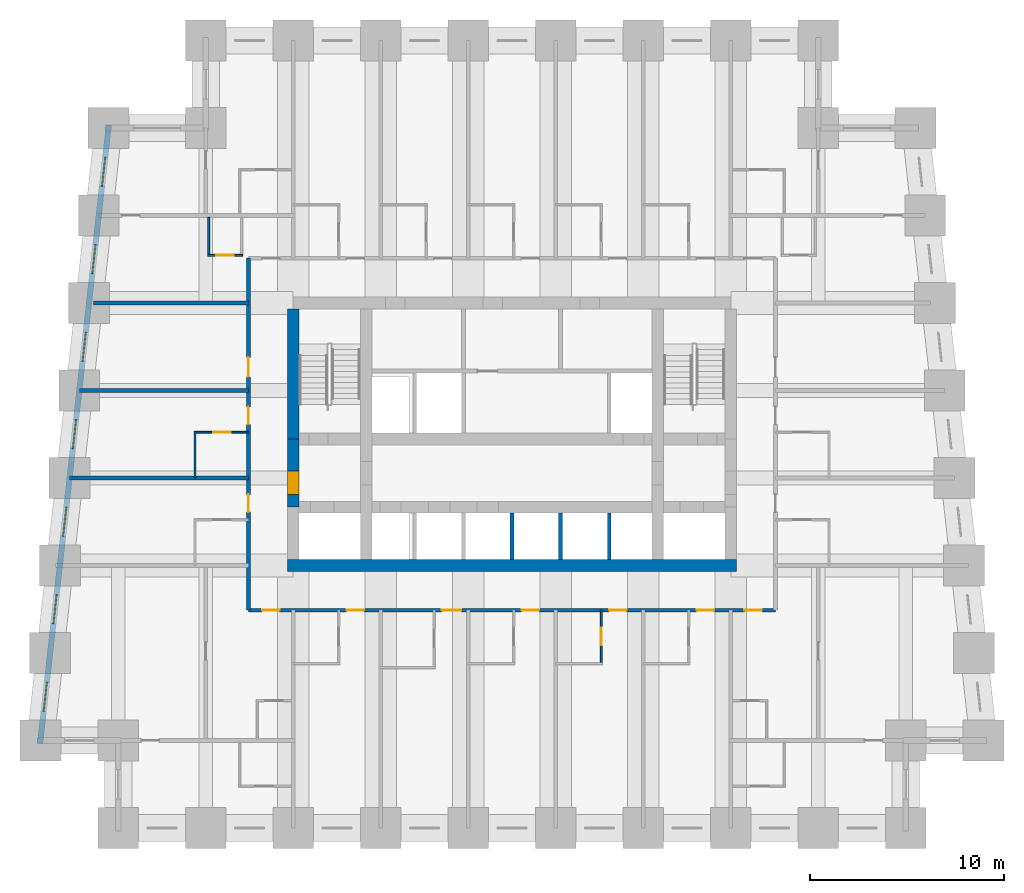
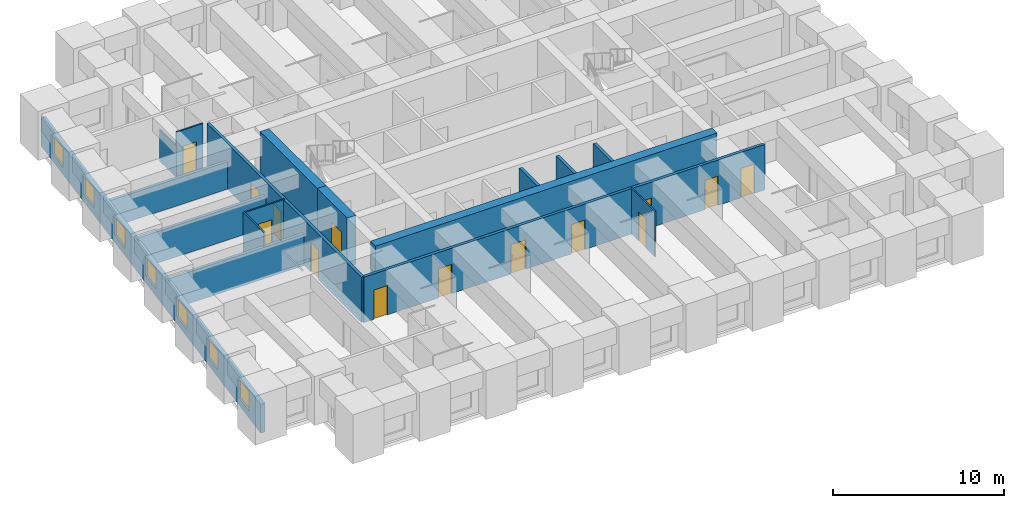
# One storey, part 3 of 8: 17 walls, 14 doors, 7 windows, 21 openings.
"""IFC4 building model written with IfcOpenShell, lengths in metres."""

from ifc_helpers import new_model, si_unit, direction, frame, frame_2d, origin, place, context, subcontext, project, spatial, rectangle, extrude, material, layer, layer_set, type_object, element, fill, save


model = new_model("IFC4")

# Units and contexts
model_context = context("Model", 3, precision=1e-05, world=origin(), true_north=direction((0.0, 1.0)))
body_context = subcontext(model_context, "Body", "Model", "MODEL_VIEW")
ifc_project = project(units=[si_unit("LENGTHUNIT", "METRE"), si_unit("AREAUNIT", "SQUARE_METRE"), si_unit("VOLUMEUNIT", "CUBIC_METRE"), si_unit("PLANEANGLEUNIT", "RADIAN"), si_unit("MASSUNIT", "GRAM", prefix="KILO")], contexts=[model_context])

# Site, building, storey
site_placement = place(None, origin())
site = spatial("IfcSite", under=ifc_project, at=site_placement, CompositionType="ELEMENT")
building_placement = place(site_placement, origin())
building = spatial("IfcBuilding", under=site, at=building_placement, Name="Kilele Tower Hotel", CompositionType="ELEMENT")
storey_placement = place(building_placement, frame((0.0, 0.0, 36.699951171875)))
storey = spatial("IfcBuildingStorey", under=building, at=storey_placement, Name="L07", CompositionType="ELEMENT", Elevation=36.699951171875)

# Wall, opening, door
ifc_material_1 = material(Name="Moisture-resistant board")
ifc_layer_1 = layer(ifc_material_1, 0.10009765625)
ifc_layer_set_1 = layer_set([ifc_layer_1], Name="Moisture-resistant board")
wall_type_1 = type_object("IfcWallType", Name="Bathroom partition 100", PredefinedType="PLUMBINGWALL", material=ifc_layer_set_1)
wall_1_placement = place(storey_placement, frame((29.35009765625, 11.199951171875, 0.0), z_axis=(0.0, 0.0, 1.0), x_axis=(0.0, -1.0, 0.0)))
wall_1 = element("IfcWall", 1, at=wall_1_placement, inside=storey, type_object=wall_type_1, Name="Bathroom partition 100 L07", PredefinedType="PLUMBINGWALL", context=body_context, shape_type="SweptSolid", body=[
    extrude(rectangle(XDim=2.800048828125, YDim=0.10009765625, at=frame_2d((1.39990234375, 0.0))), origin(), (0.0, 0.0, 1.0), 3.25),
])
opening_1_placement = place(wall_1_placement, frame((0.89990234375, 0.0, 0.0)))
opening_1 = element("IfcOpeningElement", 2, at=opening_1_placement, cuts=wall_1, Name="Opening D2A", PredefinedType="OPENING", context=body_context, shape_type="SweptSolid", body=[
    extrude(rectangle(XDim=0.89990234375, YDim=2.10009765625, at=frame_2d((0.449951171875, 1.050048828125))), frame((0.0, 0.06005859375, 0.0), z_axis=(0.0, -1.0, 0.0), x_axis=(1.0, 0.0, 0.0)), (0.0, 0.0, 1.0), 0.1201171875),
])
ifc_material_2 = material(Name="Timber door leaf in hardwood frame", Category="wood")
door_type_1 = type_object("IfcDoorType", Name="Bathroom door 900", OperationType="SINGLE_SWING_LEFT", PredefinedType="DOOR", material=ifc_material_2)
door_1_placement = place(opening_1_placement, origin())
door_1 = element("IfcDoor", 3, at=door_1_placement, inside=storey, type_object=door_type_1, Name="Bathroom door 0704B", OperationType="SINGLE_SWING_LEFT", OverallHeight=2.10009765625, OverallWidth=0.89990234375, PredefinedType="DOOR", context=body_context, shape_type="SweptSolid", body=[
    extrude(rectangle(XDim=0.89990234375, YDim=2.10009765625, at=frame_2d((0.449951171875, 1.050048828125))), frame((0.0, 0.02490234375, 0.0), z_axis=(0.0, -1.0, 0.0), x_axis=(1.0, 0.0, 0.0)), (0.0, 0.0, 1.0), 0.050048828125),
])
fill(opening_1, door_1)

# Wall
wall_2_placement = place(storey_placement, frame((8.449951171875, 18.0, 0.0), z_axis=(0.0, 0.0, 1.0), x_axis=(0.0, 1.0, 0.0)))
element("IfcWall", 4, at=wall_2_placement, inside=storey, type_object=wall_type_1, Name="Bathroom partition 100 L07", PredefinedType="PLUMBINGWALL", context=body_context, shape_type="SweptSolid", body=[
    extrude(rectangle(XDim=2.39990234375, YDim=0.10009765625, at=frame_2d((1.199951171875, 0.0))), origin(), (0.0, 0.0, 1.0), 3.25),
])

# Wall, opening, door
wall_3_placement = place(storey_placement, frame((11.199951171875, 20.35009765625, 0.0), z_axis=(0.0, 0.0, 1.0), x_axis=(-1.0, 0.0, 0.0)))
wall_3 = element("IfcWall", 5, at=wall_3_placement, inside=storey, type_object=wall_type_1, Name="Bathroom partition 100 L07", PredefinedType="PLUMBINGWALL", context=body_context, shape_type="SweptSolid", body=[
    extrude(rectangle(XDim=2.800048828125, YDim=0.10009765625, at=frame_2d((1.39990234375, 0.0))), origin(), (0.0, 0.0, 1.0), 3.25),
])
opening_2_placement = place(wall_3_placement, frame((1.7998046875, 0.0, 0.0), z_axis=(0.0, 0.0, 1.0), x_axis=(-1.0, 0.0, 0.0)))
opening_2 = element("IfcOpeningElement", 6, at=opening_2_placement, cuts=wall_3, Name="Opening D2A", PredefinedType="OPENING", context=body_context, shape_type="SweptSolid", body=[
    extrude(rectangle(XDim=0.89990234375, YDim=2.10009765625, at=frame_2d((0.449951171875, 1.050048828125))), frame((0.0, 0.06005859375, 0.0), z_axis=(0.0, -1.0, 0.0), x_axis=(1.0, 0.0, 0.0)), (0.0, 0.0, 1.0), 0.1201171875),
])
door_2_placement = place(opening_2_placement, origin())
door_2 = element("IfcDoor", 7, at=door_2_placement, inside=storey, type_object=door_type_1, Name="Bathroom door 0715B", OperationType="SINGLE_SWING_RIGHT", OverallHeight=2.10009765625, OverallWidth=0.89990234375, PredefinedType="DOOR", context=body_context, shape_type="SweptSolid", body=[
    extrude(rectangle(XDim=0.89990234375, YDim=2.10009765625, at=frame_2d((0.449951171875, 1.050048828125))), frame((0.0, 0.02490234375, 0.0), z_axis=(0.0, -1.0, 0.0), x_axis=(1.0, 0.0, 0.0)), (0.0, 0.0, 1.0), 0.050048828125),
])
fill(opening_2, door_2)

# Wall
wall_4_placement = place(storey_placement, frame((9.14990234375, 31.39990234375, 0.0), z_axis=(0.0, 0.0, 1.0), x_axis=(0.0, -1.0, 0.0)))
element("IfcWall", 8, at=wall_4_placement, inside=storey, type_object=wall_type_1, Name="Bathroom partition 100 L07", PredefinedType="PLUMBINGWALL", context=body_context, shape_type="SweptSolid", body=[
    extrude(rectangle(XDim=2.0, YDim=0.10009765625, at=frame_2d((1.0, 0.0))), origin(), (0.0, 0.0, 1.0), 2.25),
])

# Wall, opening, door
wall_5_placement = place(storey_placement, frame((10.89990234375, 29.449951171875, 0.0), z_axis=(0.0, 0.0, 1.0), x_axis=(-1.0, 0.0, 0.0)))
wall_5 = element("IfcWall", 9, at=wall_5_placement, inside=storey, type_object=wall_type_1, Name="Bathroom partition 100 L07", PredefinedType="PLUMBINGWALL", context=body_context, shape_type="SweptSolid", body=[
    extrude(rectangle(XDim=1.7998046875, YDim=0.10009765625, at=frame_2d((0.89990234375, 0.0))), origin(), (0.0, 0.0, 1.0), 3.25),
])
opening_3_placement = place(wall_5_placement, frame((0.449951171875, 0.0, 0.0)))
opening_3 = element("IfcOpeningElement", 10, at=opening_3_placement, cuts=wall_5, Name="Opening D2A", PredefinedType="OPENING", context=body_context, shape_type="SweptSolid", body=[
    extrude(rectangle(XDim=0.89990234375, YDim=2.10009765625, at=frame_2d((0.449951171875, 1.050048828125))), frame((0.0, 0.06005859375, 0.0), z_axis=(0.0, -1.0, 0.0), x_axis=(1.0, 0.0, 0.0)), (0.0, 0.0, 1.0), 0.1201171875),
])
door_3_placement = place(opening_3_placement, origin())
door_3 = element("IfcDoor", 11, at=door_3_placement, inside=storey, type_object=door_type_1, Name="Bathroom door 0726P", OperationType="SINGLE_SWING_LEFT", OverallHeight=2.10009765625, OverallWidth=0.89990234375, PredefinedType="DOOR", context=body_context, shape_type="SweptSolid", body=[
    extrude(rectangle(XDim=0.89990234375, YDim=2.10009765625, at=frame_2d((0.449951171875, 1.050048828125))), frame((0.0, 0.02490234375, 0.0), z_axis=(0.0, -1.0, 0.0), x_axis=(1.0, 0.0, 0.0)), (0.0, 0.0, 1.0), 0.050048828125),
])
fill(opening_3, door_3)

# Walls
ifc_material_3 = material(Name="Concrete C60/75", Category="concrete")
ifc_layer_2 = layer(ifc_material_3, 0.60009765625)
ifc_layer_set_2 = layer_set([ifc_layer_2], Name="Concrete C60/75")
wall_type_2 = type_object("IfcWallType", Name="Core wall 600 C60/75", PredefinedType="SHEAR", material=ifc_layer_set_2)
wall_6_placement = place(storey_placement, frame((13.199951171875, 13.5, 0.0), z_axis=(0.0, 0.0, 1.0), x_axis=(1.0, 0.0, 0.0)))
element("IfcWall", 12, at=wall_6_placement, inside=storey, type_object=wall_type_2, Name="Core wall S L07", PredefinedType="SHEAR", context=body_context, shape_type="SweptSolid", body=[
    extrude(rectangle(XDim=23.10009765625, YDim=0.60009765625, at=frame_2d((11.550048828125, 0.0))), origin(), (0.0, 0.0, 1.0), 3.5),
])
wall_7_placement = place(storey_placement, frame((13.5, 26.699951171875, 0.0), z_axis=(0.0, 0.0, 1.0), x_axis=(0.0, -1.0, 0.0)))
element("IfcWall", 13, at=wall_7_placement, inside=storey, type_object=wall_type_2, Name="Core wall W1 L07", PredefinedType="SHEAR", context=body_context, shape_type="SweptSolid", body=[
    extrude(rectangle(XDim=6.699951171875, YDim=0.60009765625, at=frame_2d((3.35009765625, 0.0))), origin(), (0.0, 0.0, 1.0), 3.5),
])

# Wall, opening, door
wall_8_placement = place(storey_placement, frame((13.5, 20.0, 0.0), z_axis=(0.0, 0.0, 1.0), x_axis=(0.0, -1.0, 0.0)))
wall_8 = element("IfcWall", 14, at=wall_8_placement, inside=storey, type_object=wall_type_2, Name="Core wall W2 L07", PredefinedType="SHEAR", context=body_context, shape_type="SweptSolid", body=[
    extrude(rectangle(XDim=3.5, YDim=0.60009765625, at=frame_2d((1.75, 0.0))), origin(), (0.0, 0.0, 1.0), 3.5),
])
opening_4_placement = place(wall_8_placement, frame((1.64990234375, 0.0, 0.0)))
opening_4 = element("IfcOpeningElement", 15, at=opening_4_placement, cuts=wall_8, Name="Opening D4", PredefinedType="OPENING", context=body_context, shape_type="SweptSolid", body=[
    extrude(rectangle(XDim=1.199951171875, YDim=2.10009765625, at=frame_2d((0.60009765625, 1.050048828125))), frame((0.0, 0.31005859375, 0.0), z_axis=(0.0, -1.0, 0.0), x_axis=(1.0, 0.0, 0.0)), (0.0, 0.0, 1.0), 0.6201171875),
])
ifc_material_4 = material(Name="Timber door leaf in hardwood frame", Category="wood")
door_type_2 = type_object("IfcDoorType", Name="Firefighting lobby door 1200", OperationType="SINGLE_SWING_LEFT", PredefinedType="DOOR", material=ifc_material_4)
door_4_placement = place(opening_4_placement, origin())
door_4 = element("IfcDoor", 16, at=door_4_placement, inside=storey, type_object=door_type_2, Name="Lobby door L07", OperationType="SINGLE_SWING_RIGHT", OverallHeight=2.10009765625, OverallWidth=1.199951171875, PredefinedType="DOOR", context=body_context, shape_type="SweptSolid", body=[
    extrude(rectangle(XDim=1.199951171875, YDim=2.10009765625, at=frame_2d((0.60009765625, 1.050048828125))), frame((0.0, 0.2998046875, 0.0), z_axis=(0.0, -1.0, 0.0), x_axis=(1.0, 0.0, 0.0)), (0.0, 0.0, 1.0), 0.599609375),
])
fill(opening_4, door_4)

# Wall, openings, doors
ifc_material_5 = material(Name="Blockwork, plastered both sides", Category="masonry")
ifc_layer_3 = layer(ifc_material_5, 0.199951171875)
ifc_layer_set_3 = layer_set([ifc_layer_3], Name="Blockwork, plastered both sides")
wall_type_3 = type_object("IfcWallType", Name="Corridor wall 200", PredefinedType="PARTITIONING", material=ifc_layer_set_3)
wall_9_placement = place(storey_placement, frame((11.199951171875, 11.199951171875, 0.0), z_axis=(0.0, 0.0, 1.0), x_axis=(1.0, 0.0, 0.0)))
wall_9 = element("IfcWall", 17, at=wall_9_placement, inside=storey, type_object=wall_type_3, Name="Corridor wall 200 L07", PredefinedType="PARTITIONING", context=body_context, shape_type="SweptSolid", body=[
    extrude(rectangle(XDim=27.10009765625, YDim=0.199951171875, at=frame_2d((13.550048828125, 0.0))), origin(), (0.0, 0.0, 1.0), 3.25),
])
opening_5_placement = place(wall_9_placement, frame((5.949951171875, 0.0, 0.0), z_axis=(0.0, 0.0, 1.0), x_axis=(-1.0, 0.0, 0.0)))
opening_5 = element("IfcOpeningElement", 18, at=opening_5_placement, cuts=wall_9, Name="Opening D1", PredefinedType="OPENING", context=body_context, shape_type="SweptSolid", body=[
    extrude(rectangle(XDim=0.89990234375, YDim=2.10009765625, at=frame_2d((0.449951171875, 1.050048828125))), frame((0.0, 0.10986328125, 0.0), z_axis=(0.0, -1.0, 0.0), x_axis=(1.0, 0.0, 0.0)), (0.0, 0.0, 1.0), 0.219970703125),
])
opening_6_placement = place(wall_9_placement, frame((10.949951171875, 0.0, 0.0), z_axis=(0.0, 0.0, 1.0), x_axis=(-1.0, 0.0, 0.0)))
opening_6 = element("IfcOpeningElement", 19, at=opening_6_placement, cuts=wall_9, Name="Opening D1A", PredefinedType="OPENING", context=body_context, shape_type="SweptSolid", body=[
    extrude(rectangle(XDim=1.0, YDim=2.10009765625, at=frame_2d((0.5, 1.050048828125))), frame((0.0, 0.10986328125, 0.0), z_axis=(0.0, -1.0, 0.0), x_axis=(1.0, 0.0, 0.0)), (0.0, 0.0, 1.0), 0.219970703125),
])
opening_7_placement = place(wall_9_placement, frame((14.949951171875, 0.0, 0.0), z_axis=(0.0, 0.0, 1.0), x_axis=(-1.0, 0.0, 0.0)))
opening_7 = element("IfcOpeningElement", 20, at=opening_7_placement, cuts=wall_9, Name="Opening D1", PredefinedType="OPENING", context=body_context, shape_type="SweptSolid", body=[
    extrude(rectangle(XDim=0.89990234375, YDim=2.10009765625, at=frame_2d((0.449951171875, 1.050048828125))), frame((0.0, 0.10986328125, 0.0), z_axis=(0.0, -1.0, 0.0), x_axis=(1.0, 0.0, 0.0)), (0.0, 0.0, 1.0), 0.219970703125),
])
opening_8_placement = place(wall_9_placement, frame((19.449951171875, 0.0, 0.0), z_axis=(0.0, 0.0, 1.0), x_axis=(-1.0, 0.0, 0.0)))
opening_8 = element("IfcOpeningElement", 21, at=opening_8_placement, cuts=wall_9, Name="Opening D1", PredefinedType="OPENING", context=body_context, shape_type="SweptSolid", body=[
    extrude(rectangle(XDim=0.89990234375, YDim=2.10009765625, at=frame_2d((0.449951171875, 1.050048828125))), frame((0.0, 0.10986328125, 0.0), z_axis=(0.0, -1.0, 0.0), x_axis=(1.0, 0.0, 0.0)), (0.0, 0.0, 1.0), 0.219970703125),
])
opening_9_placement = place(wall_9_placement, frame((23.949951171875, 0.0, 0.0), z_axis=(0.0, 0.0, 1.0), x_axis=(-1.0, 0.0, 0.0)))
opening_9 = element("IfcOpeningElement", 22, at=opening_9_placement, cuts=wall_9, Name="Opening D1", PredefinedType="OPENING", context=body_context, shape_type="SweptSolid", body=[
    extrude(rectangle(XDim=0.89990234375, YDim=2.10009765625, at=frame_2d((0.449951171875, 1.050048828125))), frame((0.0, 0.10986328125, 0.0), z_axis=(0.0, -1.0, 0.0), x_axis=(1.0, 0.0, 0.0)), (0.0, 0.0, 1.0), 0.219970703125),
])
opening_10_placement = place(wall_9_placement, frame((1.599853515625, 0.0, 0.0), z_axis=(0.0, 0.0, 1.0), x_axis=(-1.0, 0.0, 0.0)))
opening_10 = element("IfcOpeningElement", 23, at=opening_10_placement, cuts=wall_9, Name="Opening D1", PredefinedType="OPENING", context=body_context, shape_type="SweptSolid", body=[
    extrude(rectangle(XDim=0.89990234375, YDim=2.10009765625, at=frame_2d((0.449951171875, 1.050048828125))), frame((0.0, 0.10986328125, 0.0), z_axis=(0.0, -1.0, 0.0), x_axis=(1.0, 0.0, 0.0)), (0.0, 0.0, 1.0), 0.219970703125),
])
opening_11_placement = place(wall_9_placement, frame((26.39990234375, 0.0, 0.0), z_axis=(0.0, 0.0, 1.0), x_axis=(-1.0, 0.0, 0.0)))
opening_11 = element("IfcOpeningElement", 24, at=opening_11_placement, cuts=wall_9, Name="Opening D1", PredefinedType="OPENING", context=body_context, shape_type="SweptSolid", body=[
    extrude(rectangle(XDim=0.89990234375, YDim=2.10009765625, at=frame_2d((0.449951171875, 1.050048828125))), frame((0.0, 0.10986328125, 0.0), z_axis=(0.0, -1.0, 0.0), x_axis=(1.0, 0.0, 0.0)), (0.0, 0.0, 1.0), 0.219970703125),
])
ifc_material_6 = material(Name="Timber door leaf in hardwood frame", Category="wood")
door_type_3 = type_object("IfcDoorType", Name="Guest room entrance door 1000", OperationType="SINGLE_SWING_LEFT", PredefinedType="DOOR", material=ifc_material_6)
door_5_placement = place(opening_6_placement, origin())
door_5 = element("IfcDoor", 25, at=door_5_placement, inside=storey, type_object=door_type_3, Name="Room entrance 0702", OperationType="SINGLE_SWING_RIGHT", OverallHeight=2.10009765625, OverallWidth=1.0, PredefinedType="DOOR", context=body_context, shape_type="SweptSolid", body=[
    extrude(rectangle(XDim=1.0, YDim=2.10009765625, at=frame_2d((0.5, 1.050048828125))), frame((0.0, 0.02490234375, 0.0), z_axis=(0.0, -1.0, 0.0), x_axis=(1.0, 0.0, 0.0)), (0.0, 0.0, 1.0), 0.050048828125),
])
fill(opening_6, door_5)
ifc_material_7 = material(Name="Timber door leaf in hardwood frame", Category="wood")
door_type_4 = type_object("IfcDoorType", Name="Guest room entrance door 900", OperationType="SINGLE_SWING_LEFT", PredefinedType="DOOR", material=ifc_material_7)
door_6_placement = place(opening_5_placement, origin())
door_6 = element("IfcDoor", 26, at=door_6_placement, inside=storey, type_object=door_type_4, Name="Room entrance 0701", OperationType="SINGLE_SWING_RIGHT", OverallHeight=2.10009765625, OverallWidth=0.89990234375, PredefinedType="DOOR", context=body_context, shape_type="SweptSolid", body=[
    extrude(rectangle(XDim=0.89990234375, YDim=2.10009765625, at=frame_2d((0.449951171875, 1.050048828125))), frame((0.0, 0.02490234375, 0.0), z_axis=(0.0, -1.0, 0.0), x_axis=(1.0, 0.0, 0.0)), (0.0, 0.0, 1.0), 0.050048828125),
])
fill(opening_5, door_6)
door_7_placement = place(opening_7_placement, origin())
door_7 = element("IfcDoor", 27, at=door_7_placement, inside=storey, type_object=door_type_4, Name="Room entrance 0703", OperationType="SINGLE_SWING_RIGHT", OverallHeight=2.10009765625, OverallWidth=0.89990234375, PredefinedType="DOOR", context=body_context, shape_type="SweptSolid", body=[
    extrude(rectangle(XDim=0.89990234375, YDim=2.10009765625, at=frame_2d((0.449951171875, 1.050048828125))), frame((0.0, 0.02490234375, 0.0), z_axis=(0.0, -1.0, 0.0), x_axis=(1.0, 0.0, 0.0)), (0.0, 0.0, 1.0), 0.050048828125),
])
fill(opening_7, door_7)
door_8_placement = place(opening_8_placement, origin())
door_8 = element("IfcDoor", 28, at=door_8_placement, inside=storey, type_object=door_type_4, Name="Room entrance 0704", OperationType="SINGLE_SWING_RIGHT", OverallHeight=2.10009765625, OverallWidth=0.89990234375, PredefinedType="DOOR", context=body_context, shape_type="SweptSolid", body=[
    extrude(rectangle(XDim=0.89990234375, YDim=2.10009765625, at=frame_2d((0.449951171875, 1.050048828125))), frame((0.0, 0.02490234375, 0.0), z_axis=(0.0, -1.0, 0.0), x_axis=(1.0, 0.0, 0.0)), (0.0, 0.0, 1.0), 0.050048828125),
])
fill(opening_8, door_8)
door_9_placement = place(opening_9_placement, origin())
door_9 = element("IfcDoor", 29, at=door_9_placement, inside=storey, type_object=door_type_4, Name="Room entrance 0705", OperationType="SINGLE_SWING_RIGHT", OverallHeight=2.10009765625, OverallWidth=0.89990234375, PredefinedType="DOOR", context=body_context, shape_type="SweptSolid", body=[
    extrude(rectangle(XDim=0.89990234375, YDim=2.10009765625, at=frame_2d((0.449951171875, 1.050048828125))), frame((0.0, 0.02490234375, 0.0), z_axis=(0.0, -1.0, 0.0), x_axis=(1.0, 0.0, 0.0)), (0.0, 0.0, 1.0), 0.050048828125),
])
fill(opening_9, door_9)
door_10_placement = place(opening_10_placement, origin())
door_10 = element("IfcDoor", 30, at=door_10_placement, inside=storey, type_object=door_type_4, Name="Room entrance 0717", OperationType="SINGLE_SWING_LEFT", OverallHeight=2.10009765625, OverallWidth=0.89990234375, PredefinedType="DOOR", context=body_context, shape_type="SweptSolid", body=[
    extrude(rectangle(XDim=0.89990234375, YDim=2.10009765625, at=frame_2d((0.449951171875, 1.050048828125))), frame((0.0, 0.02490234375, 0.0), z_axis=(0.0, -1.0, 0.0), x_axis=(1.0, 0.0, 0.0)), (0.0, 0.0, 1.0), 0.050048828125),
])
fill(opening_10, door_10)
door_11_placement = place(opening_11_placement, origin())
door_11 = element("IfcDoor", 31, at=door_11_placement, inside=storey, type_object=door_type_4, Name="Room entrance 0720", OperationType="SINGLE_SWING_RIGHT", OverallHeight=2.10009765625, OverallWidth=0.89990234375, PredefinedType="DOOR", context=body_context, shape_type="SweptSolid", body=[
    extrude(rectangle(XDim=0.89990234375, YDim=2.10009765625, at=frame_2d((0.449951171875, 1.050048828125))), frame((0.0, 0.02490234375, 0.0), z_axis=(0.0, -1.0, 0.0), x_axis=(1.0, 0.0, 0.0)), (0.0, 0.0, 1.0), 0.050048828125),
])
fill(opening_11, door_11)

wall_10_placement = place(storey_placement, frame((11.199951171875, 11.199951171875, 0.0), z_axis=(0.0, 0.0, 1.0), x_axis=(0.0, 1.0, 0.0)))
wall_10 = element("IfcWall", 32, at=wall_10_placement, inside=storey, type_object=wall_type_3, Name="Corridor wall 200 L07", PredefinedType="PARTITIONING", context=body_context, shape_type="SweptSolid", body=[
    extrude(rectangle(XDim=18.10009765625, YDim=0.199951171875, at=frame_2d((9.050048828125, 0.0))), origin(), (0.0, 0.0, 1.0), 3.25),
])
opening_12_placement = place(wall_10_placement, frame((5.050048828125, 0.0, 0.0)))
opening_12 = element("IfcOpeningElement", 33, at=opening_12_placement, cuts=wall_10, Name="Opening D1", PredefinedType="OPENING", context=body_context, shape_type="SweptSolid", body=[
    extrude(rectangle(XDim=0.89990234375, YDim=2.10009765625, at=frame_2d((0.449951171875, 1.050048828125))), frame((0.0, 0.10986328125, 0.0), z_axis=(0.0, -1.0, 0.0), x_axis=(1.0, 0.0, 0.0)), (0.0, 0.0, 1.0), 0.219970703125),
])
opening_13_placement = place(wall_10_placement, frame((9.550048828125, 0.0, 0.0)))
opening_13 = element("IfcOpeningElement", 34, at=opening_13_placement, cuts=wall_10, Name="Opening D1", PredefinedType="OPENING", context=body_context, shape_type="SweptSolid", body=[
    extrude(rectangle(XDim=0.89990234375, YDim=2.10009765625, at=frame_2d((0.449951171875, 1.050048828125))), frame((0.0, 0.10986328125, 0.0), z_axis=(0.0, -1.0, 0.0), x_axis=(1.0, 0.0, 0.0)), (0.0, 0.0, 1.0), 0.219970703125),
])
opening_14_placement = place(wall_10_placement, frame((12.0, 0.0, 0.0)))
opening_14 = element("IfcOpeningElement", 35, at=opening_14_placement, cuts=wall_10, Name="Opening D8", PredefinedType="OPENING", context=body_context, shape_type="SweptSolid", body=[
    extrude(rectangle(XDim=1.0, YDim=2.10009765625, at=frame_2d((0.5, 1.050048828125))), frame((0.0, 0.10986328125, 0.0), z_axis=(0.0, -1.0, 0.0), x_axis=(1.0, 0.0, 0.0)), (0.0, 0.0, 1.0), 0.219970703125),
])
ifc_material_8 = material(Name="Timber door leaf in hardwood frame", Category="wood")
door_type_5 = type_object("IfcDoorType", Name="Door 1000", OperationType="SINGLE_SWING_LEFT", PredefinedType="DOOR", material=ifc_material_8)
door_12_placement = place(opening_14_placement, origin())
door_12 = element("IfcDoor", 36, at=door_12_placement, inside=storey, type_object=door_type_5, Name="Room entrance 0716", OperationType="SINGLE_SWING_LEFT", OverallHeight=2.10009765625, OverallWidth=1.0, PredefinedType="DOOR", context=body_context, shape_type="SweptSolid", body=[
    extrude(rectangle(XDim=1.0, YDim=2.10009765625, at=frame_2d((0.5, 1.050048828125))), frame((0.0, 0.02490234375, 0.0), z_axis=(0.0, -1.0, 0.0), x_axis=(1.0, 0.0, 0.0)), (0.0, 0.0, 1.0), 0.050048828125),
])
fill(opening_14, door_12)
door_13_placement = place(opening_12_placement, origin())
door_13 = element("IfcDoor", 37, at=door_13_placement, inside=storey, type_object=door_type_4, Name="Room entrance 0714", OperationType="SINGLE_SWING_LEFT", OverallHeight=2.10009765625, OverallWidth=0.89990234375, PredefinedType="DOOR", context=body_context, shape_type="SweptSolid", body=[
    extrude(rectangle(XDim=0.89990234375, YDim=2.10009765625, at=frame_2d((0.449951171875, 1.050048828125))), frame((0.0, 0.02490234375, 0.0), z_axis=(0.0, -1.0, 0.0), x_axis=(1.0, 0.0, 0.0)), (0.0, 0.0, 1.0), 0.050048828125),
])
fill(opening_12, door_13)
door_14_placement = place(opening_13_placement, origin())
door_14 = element("IfcDoor", 38, at=door_14_placement, inside=storey, type_object=door_type_4, Name="Room entrance 0715", OperationType="SINGLE_SWING_LEFT", OverallHeight=2.10009765625, OverallWidth=0.89990234375, PredefinedType="DOOR", context=body_context, shape_type="SweptSolid", body=[
    extrude(rectangle(XDim=0.89990234375, YDim=2.10009765625, at=frame_2d((0.449951171875, 1.050048828125))), frame((0.0, 0.02490234375, 0.0), z_axis=(0.0, -1.0, 0.0), x_axis=(1.0, 0.0, 0.0)), (0.0, 0.0, 1.0), 0.050048828125),
])
fill(opening_13, door_14)

# Walls
ifc_material_9 = material(Name="Blockwork, plastered both sides", Category="masonry")
ifc_layer_4 = layer(ifc_material_9, 0.199951171875)
ifc_layer_set_4 = layer_set([ifc_layer_4], Name="Blockwork, plastered both sides")
wall_type_4 = type_object("IfcWallType", Name="Party wall 200", PredefinedType="PARTITIONING", material=ifc_layer_set_4)
wall_11_placement = place(storey_placement, frame((11.199951171875, 18.0, 0.0), z_axis=(0.0, 0.0, 1.0), x_axis=(-1.0, 0.0, 0.0)))
element("IfcWall", 39, at=wall_11_placement, inside=storey, type_object=wall_type_4, Name="Party wall 200 L07", PredefinedType="PARTITIONING", context=body_context, shape_type="SweptSolid", body=[
    extrude(rectangle(XDim=9.198974609375, YDim=0.199951171875, at=frame_2d((4.599609375, 0.0))), origin(), (0.0, 0.0, 1.0), 2.25),
])
wall_12_placement = place(storey_placement, frame((11.199951171875, 22.5, 0.0), z_axis=(0.0, 0.0, 1.0), x_axis=(-1.0, 0.0, 0.0)))
element("IfcWall", 40, at=wall_12_placement, inside=storey, type_object=wall_type_4, Name="Party wall 200 L07", PredefinedType="PARTITIONING", context=body_context, shape_type="SweptSolid", body=[
    extrude(rectangle(XDim=8.698974609375, YDim=0.199951171875, at=frame_2d((4.349609375, 0.0))), origin(), (0.0, 0.0, 1.0), 2.25),
])
wall_13_placement = place(storey_placement, frame((11.199951171875, 27.0, 0.0), z_axis=(0.0, 0.0, 1.0), x_axis=(-1.0, 0.0, 0.0)))
element("IfcWall", 41, at=wall_13_placement, inside=storey, type_object=wall_type_4, Name="Party wall 200 L07", PredefinedType="PARTITIONING", context=body_context, shape_type="SweptSolid", body=[
    extrude(rectangle(XDim=7.976806640625, YDim=0.199951171875, at=frame_2d((3.98828125, 0.0))), origin(), (0.0, 0.0, 1.0), 1.949951171875),
])

# Wall, openings, windows
ifc_material_10 = material(Name="Concrete C40/50 precast", Category="concrete")
ifc_layer_5 = layer(ifc_material_10, 0.260009765625, Name="Precast backing", Category="LoadBearing")
ifc_material_11 = material(Name="Reconstituted stone finish", Category="masonry")
ifc_layer_6 = layer(ifc_material_11, 0.0400390625, Name="Face mix", Category="Finish")
ifc_layer_set_5 = layer_set([ifc_layer_5, ifc_layer_6], Name="Precast concrete C40/50, reconstituted stone finish")
wall_type_5 = type_object("IfcWallType", Name="Precast stone facade wall 300", PredefinedType="STANDARD", material=ifc_layer_set_5)
wall_14_placement = place(storey_placement, frame((4.0166015625, 36.149169921875, 0.0), z_axis=(0.0, 0.0, 1.0), x_axis=(-0.110433201132, -0.993883548555, 0.0)))
wall_14 = element("IfcWall", 42, at=wall_14_placement, inside=storey, type_object=wall_type_5, Name="Facade wall L07 edge 12", PredefinedType="STANDARD", context=body_context, shape_type="SweptSolid", body=[
    extrude(rectangle(XDim=31.994140625, YDim=0.300048828125, at=frame_2d((15.9970703125, 0.0))), origin(), (0.0, 0.0, 1.0), 2.050048828125),
])
opening_15_placement = place(wall_14_placement, frame((1.6640625, 0.0, 0.5)))
opening_15 = element("IfcOpeningElement", 43, at=opening_15_placement, cuts=wall_14, Name="Opening W1", PredefinedType="OPENING", context=body_context, shape_type="SweptSolid", body=[
    extrude(rectangle(XDim=1.5, YDim=1.39990234375, at=frame_2d((0.75, 0.699951171875))), frame((0.0, 0.159912109375, 0.0), z_axis=(0.0, -1.0, 0.0), x_axis=(1.0, 0.0, 0.0)), (0.0, 0.0, 1.0), 0.320068359375),
])
opening_16_placement = place(wall_14_placement, frame((6.19189453125, 0.0, 0.5)))
opening_16 = element("IfcOpeningElement", 44, at=opening_16_placement, cuts=wall_14, Name="Opening W1", PredefinedType="OPENING", context=body_context, shape_type="SweptSolid", body=[
    extrude(rectangle(XDim=1.5, YDim=1.39990234375, at=frame_2d((0.75, 0.699951171875))), frame((0.0, 0.159912109375, 0.0), z_axis=(0.0, -1.0, 0.0), x_axis=(1.0, 0.0, 0.0)), (0.0, 0.0, 1.0), 0.320068359375),
])
opening_17_placement = place(wall_14_placement, frame((10.718994140625, 0.0, 0.5)))
opening_17 = element("IfcOpeningElement", 45, at=opening_17_placement, cuts=wall_14, Name="Opening W1", PredefinedType="OPENING", context=body_context, shape_type="SweptSolid", body=[
    extrude(rectangle(XDim=1.5, YDim=1.39990234375, at=frame_2d((0.75, 0.699951171875))), frame((0.0, 0.159912109375, 0.0), z_axis=(0.0, -1.0, 0.0), x_axis=(1.0, 0.0, 0.0)), (0.0, 0.0, 1.0), 0.320068359375),
])
opening_18_placement = place(wall_14_placement, frame((15.2470703125, 0.0, 0.5)))
opening_18 = element("IfcOpeningElement", 46, at=opening_18_placement, cuts=wall_14, Name="Opening W1", PredefinedType="OPENING", context=body_context, shape_type="SweptSolid", body=[
    extrude(rectangle(XDim=1.5, YDim=1.39990234375, at=frame_2d((0.75, 0.699951171875))), frame((0.0, 0.159912109375, 0.0), z_axis=(0.0, -1.0, 0.0), x_axis=(1.0, 0.0, 0.0)), (0.0, 0.0, 1.0), 0.320068359375),
])
opening_19_placement = place(wall_14_placement, frame((19.77490234375, 0.0, 0.5)))
opening_19 = element("IfcOpeningElement", 47, at=opening_19_placement, cuts=wall_14, Name="Opening W1", PredefinedType="OPENING", context=body_context, shape_type="SweptSolid", body=[
    extrude(rectangle(XDim=1.5, YDim=1.39990234375, at=frame_2d((0.75, 0.699951171875))), frame((0.0, 0.159912109375, 0.0), z_axis=(0.0, -1.0, 0.0), x_axis=(1.0, 0.0, 0.0)), (0.0, 0.0, 1.0), 0.320068359375),
])
opening_20_placement = place(wall_14_placement, frame((24.302001953125, 0.0, 0.5)))
opening_20 = element("IfcOpeningElement", 48, at=opening_20_placement, cuts=wall_14, Name="Opening W1", PredefinedType="OPENING", context=body_context, shape_type="SweptSolid", body=[
    extrude(rectangle(XDim=1.5, YDim=1.39990234375, at=frame_2d((0.75, 0.699951171875))), frame((0.0, 0.159912109375, 0.0), z_axis=(0.0, -1.0, 0.0), x_axis=(1.0, 0.0, 0.0)), (0.0, 0.0, 1.0), 0.320068359375),
])
opening_21_placement = place(wall_14_placement, frame((28.830078125, 0.0, 0.5)))
opening_21 = element("IfcOpeningElement", 49, at=opening_21_placement, cuts=wall_14, Name="Opening W1", PredefinedType="OPENING", context=body_context, shape_type="SweptSolid", body=[
    extrude(rectangle(XDim=1.5, YDim=1.39990234375, at=frame_2d((0.75, 0.699951171875))), frame((0.0, 0.159912109375, 0.0), z_axis=(0.0, -1.0, 0.0), x_axis=(1.0, 0.0, 0.0)), (0.0, 0.0, 1.0), 0.320068359375),
])
ifc_material_12 = material(Name="Aluminium frame, clear double glazing", Category="aluminium")
window_type = type_object("IfcWindowType", Name="Window W1 1500 x 1400", PartitioningType="SINGLE_PANEL", PredefinedType="WINDOW", material=ifc_material_12)
window_1_placement = place(opening_15_placement, origin())
window_1 = element("IfcWindow", 50, at=window_1_placement, inside=storey, type_object=window_type, Name="Window L07", OverallHeight=1.39990234375, OverallWidth=1.5, PartitioningType="SINGLE_PANEL", PredefinedType="WINDOW", context=body_context, shape_type="SweptSolid", body=[
    extrude(rectangle(XDim=1.5, YDim=1.39990234375, at=frame_2d((0.75, 0.699951171875))), frame((0.0, 0.030029296875, 0.0), z_axis=(0.0, -1.0, 0.0), x_axis=(1.0, 0.0, 0.0)), (0.0, 0.0, 1.0), 0.06005859375),
])
fill(opening_15, window_1)
window_2_placement = place(opening_16_placement, origin())
window_2 = element("IfcWindow", 51, at=window_2_placement, inside=storey, type_object=window_type, Name="Window L07", OverallHeight=1.39990234375, OverallWidth=1.5, PartitioningType="SINGLE_PANEL", PredefinedType="WINDOW", context=body_context, shape_type="SweptSolid", body=[
    extrude(rectangle(XDim=1.5, YDim=1.39990234375, at=frame_2d((0.75, 0.699951171875))), frame((0.0, 0.030029296875, 0.0), z_axis=(0.0, -1.0, 0.0), x_axis=(1.0, 0.0, 0.0)), (0.0, 0.0, 1.0), 0.06005859375),
])
fill(opening_16, window_2)
window_3_placement = place(opening_17_placement, origin())
window_3 = element("IfcWindow", 52, at=window_3_placement, inside=storey, type_object=window_type, Name="Window L07", OverallHeight=1.39990234375, OverallWidth=1.5, PartitioningType="SINGLE_PANEL", PredefinedType="WINDOW", context=body_context, shape_type="SweptSolid", body=[
    extrude(rectangle(XDim=1.5, YDim=1.39990234375, at=frame_2d((0.75, 0.699951171875))), frame((0.0, 0.030029296875, 0.0), z_axis=(0.0, -1.0, 0.0), x_axis=(1.0, 0.0, 0.0)), (0.0, 0.0, 1.0), 0.06005859375),
])
fill(opening_17, window_3)
window_4_placement = place(opening_18_placement, origin())
window_4 = element("IfcWindow", 53, at=window_4_placement, inside=storey, type_object=window_type, Name="Window L07", OverallHeight=1.39990234375, OverallWidth=1.5, PartitioningType="SINGLE_PANEL", PredefinedType="WINDOW", context=body_context, shape_type="SweptSolid", body=[
    extrude(rectangle(XDim=1.5, YDim=1.39990234375, at=frame_2d((0.75, 0.699951171875))), frame((0.0, 0.030029296875, 0.0), z_axis=(0.0, -1.0, 0.0), x_axis=(1.0, 0.0, 0.0)), (0.0, 0.0, 1.0), 0.06005859375),
])
fill(opening_18, window_4)
window_5_placement = place(opening_19_placement, origin())
window_5 = element("IfcWindow", 54, at=window_5_placement, inside=storey, type_object=window_type, Name="Window L07", OverallHeight=1.39990234375, OverallWidth=1.5, PartitioningType="SINGLE_PANEL", PredefinedType="WINDOW", context=body_context, shape_type="SweptSolid", body=[
    extrude(rectangle(XDim=1.5, YDim=1.39990234375, at=frame_2d((0.75, 0.699951171875))), frame((0.0, 0.030029296875, 0.0), z_axis=(0.0, -1.0, 0.0), x_axis=(1.0, 0.0, 0.0)), (0.0, 0.0, 1.0), 0.06005859375),
])
fill(opening_19, window_5)
window_6_placement = place(opening_20_placement, origin())
window_6 = element("IfcWindow", 55, at=window_6_placement, inside=storey, type_object=window_type, Name="Window L07", OverallHeight=1.39990234375, OverallWidth=1.5, PartitioningType="SINGLE_PANEL", PredefinedType="WINDOW", context=body_context, shape_type="SweptSolid", body=[
    extrude(rectangle(XDim=1.5, YDim=1.39990234375, at=frame_2d((0.75, 0.699951171875))), frame((0.0, 0.030029296875, 0.0), z_axis=(0.0, -1.0, 0.0), x_axis=(1.0, 0.0, 0.0)), (0.0, 0.0, 1.0), 0.06005859375),
])
fill(opening_20, window_6)
window_7_placement = place(opening_21_placement, origin())
window_7 = element("IfcWindow", 56, at=window_7_placement, inside=storey, type_object=window_type, Name="Window L07", OverallHeight=1.39990234375, OverallWidth=1.5, PartitioningType="SINGLE_PANEL", PredefinedType="WINDOW", context=body_context, shape_type="SweptSolid", body=[
    extrude(rectangle(XDim=1.5, YDim=1.39990234375, at=frame_2d((0.75, 0.699951171875))), frame((0.0, 0.030029296875, 0.0), z_axis=(0.0, -1.0, 0.0), x_axis=(1.0, 0.0, 0.0)), (0.0, 0.0, 1.0), 0.06005859375),
])
fill(opening_21, window_7)

# Walls
ifc_material_13 = material(Name="Blockwork, fire-rated", Category="masonry")
ifc_layer_7 = layer(ifc_material_13, 0.199951171875)
ifc_layer_set_6 = layer_set([ifc_layer_7], Name="Blockwork, fire-rated")
wall_type_6 = type_object("IfcWallType", Name="Shaft wall 200", PredefinedType="PARTITIONING", material=ifc_layer_set_6)
for number, where, z_axis, x_axis, name in (
    (57, (24.75, 13.800048828125, 0.0), (0.0, 0.0, 1.0), (0.0, 1.0, 0.0), "Shaft wall 200 L07"),
    (58, (27.25, 13.800048828125, 0.0), (0.0, 0.0, 1.0), (0.0, 1.0, 0.0), "Shaft wall 200 L07"),
    (59, (29.75, 13.800048828125, 0.0), (0.0, 0.0, 1.0), (0.0, 1.0, 0.0), "Shaft wall 200 L07"),
):
    element("IfcWall", number, at=place(storey_placement, frame(where, z_axis=z_axis, x_axis=x_axis)), inside=storey, type_object=wall_type_6, Name=name, PredefinedType="PARTITIONING", context=body_context, shape_type="SweptSolid", body=[
        extrude(rectangle(XDim=2.39990234375, YDim=0.199951171875, at=frame_2d((1.199951171875, 0.0))), origin(), (0.0, 0.0, 1.0), 3.25),
    ])

save(model, "model.ifc")
